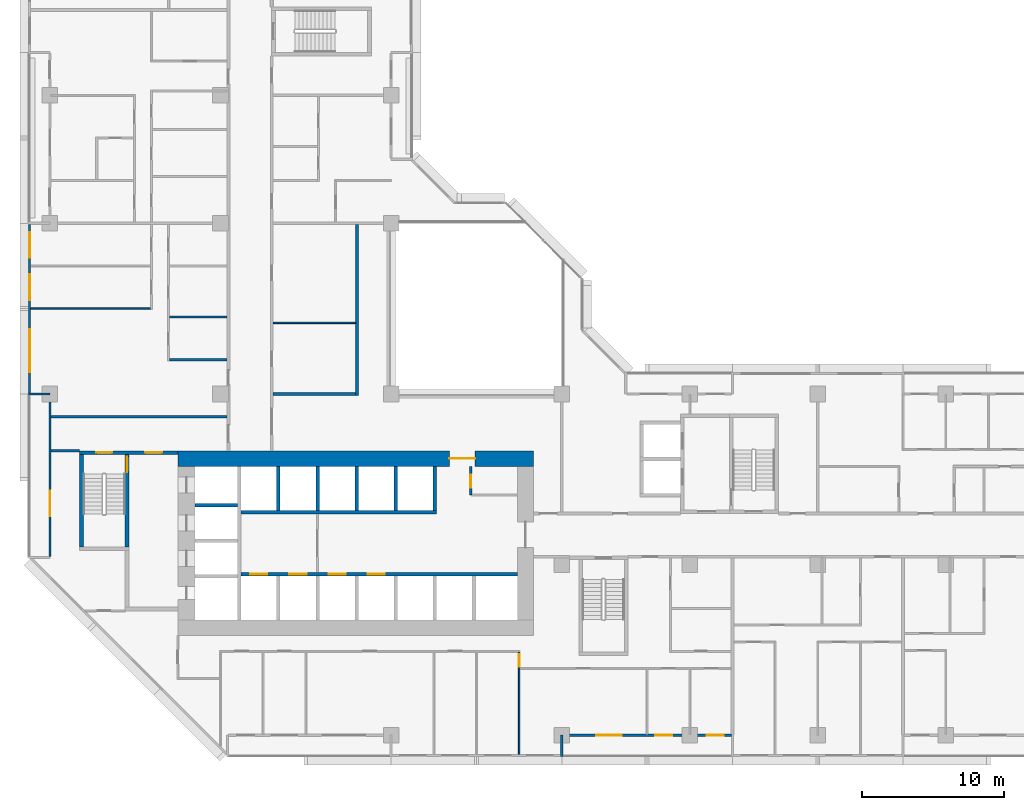
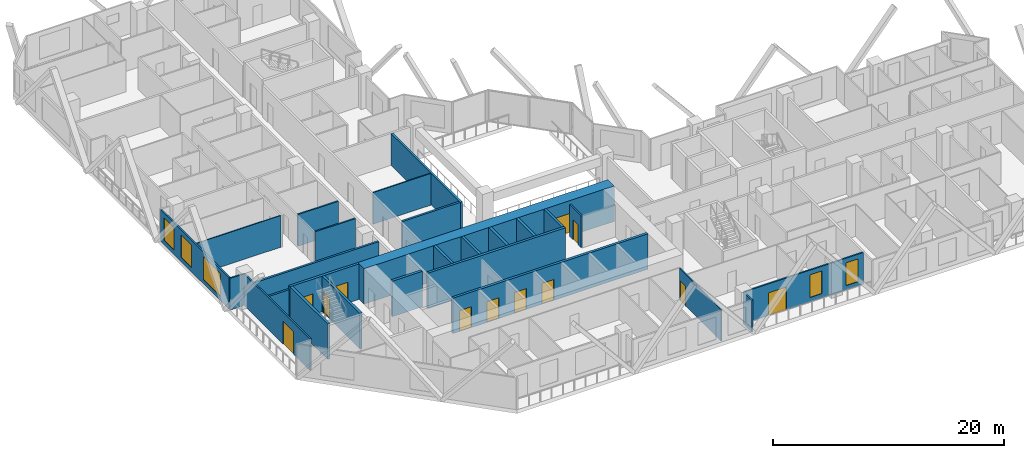
# One storey, part 5 of 15: 27 walls, 12 doors, 5 windows, 17 openings.
"""IFC4 building model written with IfcOpenShell, lengths in metres."""

import ifcopenshell
import ifcopenshell.guid

model = None  # the IFC model being written
_history = None  # IfcOwnerHistory: only IFC2X3 demands one
_inside = {}  # id of a spatial element -> (the spatial element, [elements in it])
_under = {}  # id of a project, library or spatial element -> (it, [spatial elements below it])
_declared = {}  # id of a project -> (the project, [libraries it declares])
_typed = {}  # id of a type object -> (the type object, [elements of that type])
_made_of = {}  # id of a material, layer set ... -> (it, [elements and type objects made of it])


def new_model(schema):
    """Start an empty IFC model of exactly this schema.

    Asked for "IFC4X3", IfcOpenShell would pick the latest addendum, in which some entities
    have other attributes; the version numbers below select the first issue.
    IFC2X3 requires an IfcOwnerHistory on every rooted entity: one is made here for all.
    """
    global model, _history
    if schema == "IFC4X3":
        model = ifcopenshell.file(schema_version=(4, 3, 0, 0))
    else:
        model = ifcopenshell.file(schema=schema)
    _inside.clear()
    _under.clear()
    _declared.clear()
    _typed.clear()
    _made_of.clear()
    _history = None
    if model.schema == "IFC2X3":
        org = make("IfcOrganization", Name="unknown")
        user = make(
            "IfcPersonAndOrganization",
            ThePerson=make("IfcPerson", FamilyName="unknown"),
            TheOrganization=org,
        )
        app = make(
            "IfcApplication",
            ApplicationDeveloper=org,
            Version="unknown",
            ApplicationFullName="unknown",
            ApplicationIdentifier="unknown",
        )
        _history = make(
            "IfcOwnerHistory",
            OwningUser=user,
            OwningApplication=app,
            ChangeAction="ADDED",
            CreationDate=0,
        )
    return model


def make(cls, **values):
    """One entity of the class cls with the attributes given. An attribute that is None is left unset."""
    return model.create_entity(
        cls, **{name: value for name, value in values.items() if value is not None}
    )


def rooted(cls, **values):
    """An entity with a GlobalId (a new one), such as an element, a storey or a relation."""
    return make(cls, GlobalId=ifcopenshell.guid.new(), OwnerHistory=_history, **values)


def si_unit(unit_type, name, prefix=None):
    """IfcSIUnit, for example si_unit("LENGTHUNIT", "METRE", prefix="MILLI")."""
    return make("IfcSIUnit", UnitType=unit_type, Prefix=prefix, Name=name)


def assignment(units):
    """IfcUnitAssignment: the units of a project."""
    return None if units is None else make("IfcUnitAssignment", Units=units)


def point(xyz):
    """IfcCartesianPoint."""
    return None if xyz is None else make("IfcCartesianPoint", Coordinates=xyz)


def direction(xyz):
    """IfcDirection."""
    return None if xyz is None else make("IfcDirection", DirectionRatios=xyz)


def frame(location, z_axis=None, x_axis=None):
    """IfcAxis2Placement3D, a coordinate frame: its origin and axes. An axis left out is left unset."""
    return make(
        "IfcAxis2Placement3D",
        Location=point(location),
        Axis=direction(z_axis),
        RefDirection=direction(x_axis),
    )


def frame_2d(location, x_axis=None):
    """IfcAxis2Placement2D, a coordinate frame in the plane: its origin and x axis."""
    return make(
        "IfcAxis2Placement2D", Location=point(location), RefDirection=direction(x_axis)
    )


def origin():
    """The frame at (0, 0, 0) with its axes left unset."""
    return frame((0.0, 0.0, 0.0))


def place(relative_to, where):
    """IfcLocalPlacement: puts the frame where relative to a parent placement (None: the world)."""
    return make(
        "IfcLocalPlacement", PlacementRelTo=relative_to, RelativePlacement=where
    )


def context(
    kind, dimensions, precision=None, world=None, true_north=None, identifier=None
):
    """IfcGeometricRepresentationContext, for example the 3D "Model" context."""
    return make(
        "IfcGeometricRepresentationContext",
        ContextIdentifier=identifier,
        ContextType=kind,
        CoordinateSpaceDimension=dimensions,
        Precision=precision,
        WorldCoordinateSystem=world,
        TrueNorth=true_north,
    )


def subcontext(parent, identifier, kind, view, scale=None):
    """IfcGeometricRepresentationSubContext, for example "Body" below "Model"."""
    return make(
        "IfcGeometricRepresentationSubContext",
        ContextIdentifier=identifier,
        ContextType=kind,
        ParentContext=parent,
        TargetScale=scale,
        TargetView=view,
    )


def project(units=None, contexts=None):
    """IfcProject with its units and contexts."""
    return rooted(
        "IfcProject",
        Name="project",
        RepresentationContexts=contexts,
        UnitsInContext=assignment(units),
    )


def spatial(cls, under=None, at=None, **own):
    """A site, building, storey or space (cls), placed at a placement, below another one or the project."""
    s = rooted(cls, ObjectPlacement=at, **own)
    if under is not None:
        _under.setdefault(under.id(), (under, []))[1].append(s)
    return s


def profile(cls, at=None, kind="AREA", **sizes):
    """A parametric profile (cls). Its sizes go by their IFC names, for example OverallWidth=200.0."""
    return make(cls, ProfileType=kind, Position=at, **sizes)


def rectangle(**sizes):
    """IfcRectangleProfileDef."""
    return profile("IfcRectangleProfileDef", **sizes)


def extrude(swept, where, along, depth):
    """IfcExtrudedAreaSolid: the profile swept, set in the frame where, extruded along a direction by depth."""
    return make(
        "IfcExtrudedAreaSolid",
        SweptArea=swept,
        Position=where,
        ExtrudedDirection=direction(along),
        Depth=depth,
    )


def shape(context_of_items, identifier, shape_type, items):
    """IfcShapeRepresentation: the items that make up one representation, for example the "Body"."""
    return make(
        "IfcShapeRepresentation",
        ContextOfItems=context_of_items,
        RepresentationIdentifier=identifier,
        RepresentationType=shape_type,
        Items=items,
    )


def material(Name=None, Category=None):
    """IfcMaterial."""
    return make("IfcMaterial", Name=Name, Category=Category)


def layer(
    of_material, thickness, ventilated=None, Name=None, Category=None, Priority=None
):
    """IfcMaterialLayer: one layer of a wall or slab, of a material (None: an air gap)."""
    return make(
        "IfcMaterialLayer",
        Material=of_material,
        LayerThickness=thickness,
        IsVentilated=ventilated,
        Name=Name,
        Category=Category,
        Priority=Priority,
    )


def layer_set(layers, Name=None):
    """IfcMaterialLayerSet."""
    return make("IfcMaterialLayerSet", MaterialLayers=layers, LayerSetName=Name)


def made_of(thing, what):
    """Note that an element or type object is made of a material, layer set ...; save() writes the relation."""
    if what is not None:
        _made_of.setdefault(what.id(), (what, []))[1].append(thing)
    return thing


def type_object(cls, material=None, **own):
    """A type object (cls), such as IfcWallType, which elements share."""
    return made_of(rooted(cls, **own), material)


def element(
    cls,
    number,
    at=None,
    inside=None,
    cuts=None,
    type_object=None,
    material=None,
    context=None,
    identifier="Body",
    shape_type=None,
    held_by="IfcProductDefinitionShape",
    body=None,
    shapes=None,
    **own,
):
    """One element of the class cls, such as IfcWall. Its Tag is "e" and its number.

    at: its placement. inside: the storey or other place that contains it. cuts: it is an
    opening in that element (IfcRelVoidsElement). A single representation is given by context,
    identifier, shape_type and body (its items); several are given by shapes. held_by: the class
    of the entity that holds the representations. save() writes the other relations.
    """
    e = rooted(cls, Tag="e%d" % number, ObjectPlacement=at, **own)
    if body is not None:
        shapes = [shape(context, identifier, shape_type, body)]
    if shapes is not None:
        e.Representation = make(held_by, Representations=shapes)
    if inside is not None:
        _inside.setdefault(inside.id(), (inside, []))[1].append(e)
    if cuts is not None:
        rooted(
            "IfcRelVoidsElement", RelatingBuildingElement=cuts, RelatedOpeningElement=e
        )
    if type_object is not None:
        _typed.setdefault(type_object.id(), (type_object, []))[1].append(e)
    return made_of(e, material)


def fill(opening, filler):
    """IfcRelFillsElement: the door or window that sits in an opening."""
    return rooted(
        "IfcRelFillsElement",
        RelatingOpeningElement=opening,
        RelatedBuildingElement=filler,
    )


def aggregate(whole, parts):
    """IfcRelAggregates: a whole, such as a stair, and the parts it consists of."""
    return rooted("IfcRelAggregates", RelatingObject=whole, RelatedObjects=parts)


def save(model, path):
    """Write the relations noted so far, then the file.

    IfcRelAggregates (storeys below a building ...), IfcRelContainedInSpatialStructure (elements
    in a storey), IfcRelDefinesByType, IfcRelAssociatesMaterial and IfcRelDeclares: one each for
    every whole, place, type object, material and project.
    """
    for whole, parts in _under.values():
        aggregate(whole, parts)
    for where, things in _inside.values():
        rooted(
            "IfcRelContainedInSpatialStructure",
            RelatedElements=things,
            RelatingStructure=where,
        )
    for kind, things in _typed.values():
        rooted("IfcRelDefinesByType", RelatedObjects=things, RelatingType=kind)
    for what, things in _made_of.values():
        rooted("IfcRelAssociatesMaterial", RelatedObjects=things, RelatingMaterial=what)
    for by, libraries in _declared.values():
        rooted("IfcRelDeclares", RelatingContext=by, RelatedDefinitions=libraries)
    model.write(path)


model = new_model("IFC4")

# Units and contexts
model_context = context("Model", 3, precision=1e-05, world=origin(), true_north=direction((0.0, 1.0)))
body_context = subcontext(model_context, "Body", "Model", "MODEL_VIEW")
ifc_project = project(units=[si_unit("LENGTHUNIT", "METRE"), si_unit("AREAUNIT", "SQUARE_METRE"), si_unit("VOLUMEUNIT", "CUBIC_METRE"), si_unit("PLANEANGLEUNIT", "RADIAN"), si_unit("MASSUNIT", "GRAM", prefix="KILO")], contexts=[model_context])

# Site, building, storey
site_placement = place(None, origin())
site = spatial("IfcSite", under=ifc_project, at=site_placement, CompositionType="ELEMENT")
building_placement = place(site_placement, origin())
building = spatial("IfcBuilding", under=site, at=building_placement, Name="Chenar Terraces", CompositionType="ELEMENT")
storey_placement = place(building_placement, frame((0.0, 0.0, 41.39990234375)))
storey = spatial("IfcBuildingStorey", under=building, at=storey_placement, Name="L07", CompositionType="ELEMENT", Elevation=41.39990234375)

# Wall, opening, door
ifc_material_1 = material(Name="Gypsum board on steel studs", Category="steel")
ifc_layer_1 = layer(ifc_material_1, 0.14990234375)
ifc_layer_set_1 = layer_set([ifc_layer_1], Name="Gypsum board on steel studs")
wall_type_1 = type_object("IfcWallType", Name="Core partition 150 gypsum board", PredefinedType="PARTITIONING", material=ifc_layer_set_1)
wall_1_placement = place(storey_placement, frame((29.60009765625, 16.89990234375, 0.0), z_axis=(0.0, 0.0, 1.0), x_axis=(0.0, 1.0, 0.0)))
wall_1 = element("IfcWall", 1, at=wall_1_placement, inside=storey, type_object=wall_type_1, Name="Core partition CP1 vestibule room west wall", PredefinedType="PARTITIONING", context=body_context, shape_type="SweptSolid", body=[
    extrude(rectangle(XDim=2.0, YDim=0.14990234375, at=frame_2d((1.0, 0.0))), origin(), (0.0, 0.0, 1.0), 3.35009765625),
])
opening_1_placement = place(wall_1_placement, frame((0.5, 0.0, 0.0)))
opening_1 = element("IfcOpeningElement", 2, at=opening_1_placement, cuts=wall_1, Name="Opening DL07-C13", PredefinedType="OPENING", context=body_context, shape_type="SweptSolid", body=[
    extrude(rectangle(XDim=0.89990234375, YDim=2.10009765625, at=frame_2d((0.449951171875, 1.050048828125))), frame((0.0, 0.0849609375, 0.0), z_axis=(0.0, -1.0, 0.0), x_axis=(1.0, 0.0, 0.0)), (0.0, 0.0, 1.0), 0.169921875),
])
ifc_material_2 = material(Name="Steel-framed fire-resisting door leaf", Category="steel")
door_type_1 = type_object("IfcDoorType", Name="Riser fire door FD60 900 x 2100", OperationType="SINGLE_SWING_LEFT", PredefinedType="DOOR", material=ifc_material_2)
door_1_placement = place(opening_1_placement, frame((0.89990234375, 0.0, 0.0), z_axis=(0.0, 0.0, 1.0), x_axis=(-1.0, 0.0, 0.0)))
door_1 = element("IfcDoor", 3, at=door_1_placement, inside=storey, type_object=door_type_1, Name="Core room door DL07-C13", OperationType="SINGLE_SWING_RIGHT", OverallHeight=2.10009765625, OverallWidth=0.89990234375, PredefinedType="DOOR", context=body_context, shape_type="SweptSolid", body=[
    extrude(rectangle(XDim=0.89990234375, YDim=2.10009765625, at=frame_2d((0.449951171875, 1.050048828125))), frame((0.0, 0.02490234375, 0.0), z_axis=(0.0, -1.0, 0.0), x_axis=(1.0, 0.0, 0.0)), (0.0, 0.0, 1.0), 0.050048828125),
])
fill(opening_1, door_1)

ifc_material_3 = material(Name="Concrete C70/85", Category="concrete")
ifc_layer_2 = layer(ifc_material_3, 1.10009765625)
ifc_layer_set_2 = layer_set([ifc_layer_2], Name="Concrete C70/85")
wall_type_2 = type_object("IfcWallType", Name="Core wall 1100 Concrete C70/85", PredefinedType="SHEAR", material=ifc_layer_set_2)
wall_2_placement = place(storey_placement, frame((9.0, 19.449951171875, 0.0), z_axis=(0.0, 0.0, 1.0), x_axis=(1.0, 0.0, 0.0)))
wall_2 = element("IfcWall", 4, at=wall_2_placement, inside=storey, type_object=wall_type_2, Name="Core wall N L07", PredefinedType="SHEAR", context=body_context, shape_type="SweptSolid", body=[
    extrude(rectangle(XDim=25.0, YDim=1.10009765625, at=frame_2d((12.5, 0.0))), origin(), (0.0, 0.0, 1.0), 3.75),
])
opening_2_placement = place(wall_2_placement, frame((19.10009765625, 0.0, 0.0)))
opening_2 = element("IfcOpeningElement", 5, at=opening_2_placement, cuts=wall_2, Name="Opening DL07-C2", PredefinedType="OPENING", context=body_context, shape_type="SweptSolid", body=[
    extrude(rectangle(XDim=1.800048828125, YDim=2.39990234375, at=frame_2d((0.89990234375, 1.199951171875))), frame((0.0, 0.56005859375, 0.0), z_axis=(0.0, -1.0, 0.0), x_axis=(1.0, 0.0, 0.0)), (0.0, 0.0, 1.0), 1.1201171875),
])
ifc_material_4 = material(Name="Steel-framed fire-resisting door leaf", Category="steel")
door_type_2 = type_object("IfcDoorType", Name="Core entrance double fire door FD60 1800 x 2400", OperationType="DOUBLE_DOOR_SINGLE_SWING", PredefinedType="DOOR", material=ifc_material_4)
door_2_placement = place(opening_2_placement, origin())
door_2 = element("IfcDoor", 6, at=door_2_placement, inside=storey, type_object=door_type_2, Name="Core door DL07-C2", OperationType="DOUBLE_DOOR_SINGLE_SWING", OverallHeight=2.39990234375, OverallWidth=1.800048828125, PredefinedType="DOOR", context=body_context, shape_type="SweptSolid", body=[
    extrude(rectangle(XDim=1.800048828125, YDim=2.39990234375, at=frame_2d((0.89990234375, 1.199951171875))), frame((0.0, 0.02490234375, 0.0), z_axis=(0.0, -1.0, 0.0), x_axis=(1.0, 0.0, 0.0)), (0.0, 0.0, 1.0), 0.050048828125),
])
fill(opening_2, door_2)

# Wall, openings, doors
ifc_material_5 = material(Name="Concrete C70/85", Category="concrete")
ifc_layer_3 = layer(ifc_material_5, 0.25)
ifc_layer_set_3 = layer_set([ifc_layer_3], Name="Concrete C70/85")
wall_type_3 = type_object("IfcWallType", Name="Core wall 250 Concrete C70/85", PredefinedType="SHEAR", material=ifc_layer_set_3)
wall_3_placement = place(storey_placement, frame((13.449951171875, 11.324951171875, 0.0), z_axis=(0.0, 0.0, 1.0), x_axis=(1.0, 0.0, 0.0)))
wall_3 = element("IfcWall", 7, at=wall_3_placement, inside=storey, type_object=wall_type_3, Name="Core wall SF L07", PredefinedType="SHEAR", context=body_context, shape_type="SweptSolid", body=[
    extrude(rectangle(XDim=19.449951171875, YDim=0.25, at=frame_2d((9.72509765625, 0.0))), origin(), (0.0, 0.0, 1.0), 3.75),
])
opening_3_placement = place(wall_3_placement, frame((0.64990234375, 0.0, 0.0)))
opening_3 = element("IfcOpeningElement", 8, at=opening_3_placement, cuts=wall_3, Name="Opening DL07-LD1", PredefinedType="OPENING", context=body_context, shape_type="SweptSolid", body=[
    extrude(rectangle(XDim=1.199951171875, YDim=2.199951171875, at=frame_2d((0.60009765625, 1.10009765625))), frame((0.0, 0.135009765625, 0.0), z_axis=(0.0, -1.0, 0.0), x_axis=(1.0, 0.0, 0.0)), (0.0, 0.0, 1.0), 0.27001953125),
])
opening_4_placement = place(wall_3_placement, frame((3.39990234375, 0.0, 0.0)))
opening_4 = element("IfcOpeningElement", 9, at=opening_4_placement, cuts=wall_3, Name="Opening DL07-LD2", PredefinedType="OPENING", context=body_context, shape_type="SweptSolid", body=[
    extrude(rectangle(XDim=1.199951171875, YDim=2.199951171875, at=frame_2d((0.60009765625, 1.10009765625))), frame((0.0, 0.135009765625, 0.0), z_axis=(0.0, -1.0, 0.0), x_axis=(1.0, 0.0, 0.0)), (0.0, 0.0, 1.0), 0.27001953125),
])
opening_5_placement = place(wall_3_placement, frame((6.14990234375, 0.0, 0.0)))
opening_5 = element("IfcOpeningElement", 10, at=opening_5_placement, cuts=wall_3, Name="Opening DL07-LD3", PredefinedType="OPENING", context=body_context, shape_type="SweptSolid", body=[
    extrude(rectangle(XDim=1.199951171875, YDim=2.199951171875, at=frame_2d((0.60009765625, 1.10009765625))), frame((0.0, 0.135009765625, 0.0), z_axis=(0.0, -1.0, 0.0), x_axis=(1.0, 0.0, 0.0)), (0.0, 0.0, 1.0), 0.27001953125),
])
opening_6_placement = place(wall_3_placement, frame((8.89990234375, 0.0, 0.0)))
opening_6 = element("IfcOpeningElement", 11, at=opening_6_placement, cuts=wall_3, Name="Opening DL07-LD4", PredefinedType="OPENING", context=body_context, shape_type="SweptSolid", body=[
    extrude(rectangle(XDim=1.199951171875, YDim=2.199951171875, at=frame_2d((0.60009765625, 1.10009765625))), frame((0.0, 0.135009765625, 0.0), z_axis=(0.0, -1.0, 0.0), x_axis=(1.0, 0.0, 0.0)), (0.0, 0.0, 1.0), 0.27001953125),
])
ifc_material_6 = material(Name="Stainless steel", Category="steel")
door_type_3 = type_object("IfcDoorType", Name="Lift landing door 1200 x 2200 sliding", OperationType="DOUBLE_DOOR_SLIDING", PredefinedType="DOOR", material=ifc_material_6)
door_3_placement = place(opening_3_placement, origin())
door_3 = element("IfcDoor", 12, at=door_3_placement, inside=storey, type_object=door_type_3, Name="Landing door L1", OperationType="DOUBLE_DOOR_SLIDING", OverallHeight=2.199951171875, OverallWidth=1.199951171875, PredefinedType="DOOR", context=body_context, shape_type="SweptSolid", body=[
    extrude(rectangle(XDim=1.199951171875, YDim=2.199951171875, at=frame_2d((0.60009765625, 1.10009765625))), frame((0.0, 0.02490234375, 0.0), z_axis=(0.0, -1.0, 0.0), x_axis=(1.0, 0.0, 0.0)), (0.0, 0.0, 1.0), 0.050048828125),
])
fill(opening_3, door_3)
door_4_placement = place(opening_4_placement, origin())
door_4 = element("IfcDoor", 13, at=door_4_placement, inside=storey, type_object=door_type_3, Name="Landing door L2", OperationType="DOUBLE_DOOR_SLIDING", OverallHeight=2.199951171875, OverallWidth=1.199951171875, PredefinedType="DOOR", context=body_context, shape_type="SweptSolid", body=[
    extrude(rectangle(XDim=1.199951171875, YDim=2.199951171875, at=frame_2d((0.60009765625, 1.10009765625))), frame((0.0, 0.02490234375, 0.0), z_axis=(0.0, -1.0, 0.0), x_axis=(1.0, 0.0, 0.0)), (0.0, 0.0, 1.0), 0.050048828125),
])
fill(opening_4, door_4)
door_5_placement = place(opening_5_placement, origin())
door_5 = element("IfcDoor", 14, at=door_5_placement, inside=storey, type_object=door_type_3, Name="Landing door L3", OperationType="DOUBLE_DOOR_SLIDING", OverallHeight=2.199951171875, OverallWidth=1.199951171875, PredefinedType="DOOR", context=body_context, shape_type="SweptSolid", body=[
    extrude(rectangle(XDim=1.199951171875, YDim=2.199951171875, at=frame_2d((0.60009765625, 1.10009765625))), frame((0.0, 0.02490234375, 0.0), z_axis=(0.0, -1.0, 0.0), x_axis=(1.0, 0.0, 0.0)), (0.0, 0.0, 1.0), 0.050048828125),
])
fill(opening_5, door_5)
door_6_placement = place(opening_6_placement, origin())
door_6 = element("IfcDoor", 15, at=door_6_placement, inside=storey, type_object=door_type_3, Name="Landing door L4", OperationType="DOUBLE_DOOR_SLIDING", OverallHeight=2.199951171875, OverallWidth=1.199951171875, PredefinedType="DOOR", context=body_context, shape_type="SweptSolid", body=[
    extrude(rectangle(XDim=1.199951171875, YDim=2.199951171875, at=frame_2d((0.60009765625, 1.10009765625))), frame((0.0, 0.02490234375, 0.0), z_axis=(0.0, -1.0, 0.0), x_axis=(1.0, 0.0, 0.0)), (0.0, 0.0, 1.0), 0.050048828125),
])
fill(opening_6, door_6)

# Walls
wall_4_placement = place(storey_placement, frame((13.449951171875, 15.675048828125, 0.0), z_axis=(0.0, 0.0, 1.0), x_axis=(1.0, 0.0, 0.0)))
element("IfcWall", 16, at=wall_4_placement, inside=storey, type_object=wall_type_3, Name="Core wall NF L07", PredefinedType="SHEAR", context=body_context, shape_type="SweptSolid", body=[
    extrude(rectangle(XDim=13.75, YDim=0.25, at=frame_2d((6.875, 0.0))), origin(), (0.0, 0.0, 1.0), 3.75),
])
wall_5_placement = place(storey_placement, frame((10.199951171875, 16.175048828125, 0.0), z_axis=(0.0, 0.0, 1.0), x_axis=(1.0, 0.0, 0.0)))
element("IfcWall", 17, at=wall_5_placement, inside=storey, type_object=wall_type_3, Name="Core wall HW2 L07", PredefinedType="SHEAR", context=body_context, shape_type="SweptSolid", body=[
    extrude(rectangle(XDim=3.0, YDim=0.25, at=frame_2d((1.5, 0.0))), origin(), (0.0, 0.0, 1.0), 3.75),
])
for number, where, z_axis, x_axis, name in (
    (18, (16.074951171875, 15.800048828125, 0.0), (0.0, 0.0, 1.0), (0.0, 1.0, 0.0), "Core wall NS0 L07"),
    (19, (18.824951171875, 15.800048828125, 0.0), (0.0, 0.0, 1.0), (0.0, 1.0, 0.0), "Core wall NS1 L07"),
    (20, (21.574951171875, 15.800048828125, 0.0), (0.0, 0.0, 1.0), (0.0, 1.0, 0.0), "Core wall NS2 L07"),
    (21, (24.324951171875, 15.800048828125, 0.0), (0.0, 0.0, 1.0), (0.0, 1.0, 0.0), "Core wall NS3 L07"),
    (22, (27.074951171875, 15.800048828125, 0.0), (0.0, 0.0, 1.0), (0.0, 1.0, 0.0), "Core wall NE L07"),
):
    element("IfcWall", number, at=place(storey_placement, frame(where, z_axis=z_axis, x_axis=x_axis)), inside=storey, type_object=wall_type_3, Name=name, PredefinedType="SHEAR", context=body_context, shape_type="SweptSolid", body=[
        extrude(rectangle(XDim=3.099853515625, YDim=0.25, at=frame_2d((1.5498046875, 0.0))), origin(), (0.0, 0.0, 1.0), 3.75),
    ])

# Wall, openings, doors
wall_6_placement = place(storey_placement, frame((2.10009765625, 19.875, 0.0), z_axis=(0.0, 0.0, 1.0), x_axis=(1.0, 0.0, 0.0)))
wall_6 = element("IfcWall", 23, at=wall_6_placement, inside=storey, type_object=wall_type_3, Name="Core wall A_N L07", PredefinedType="SHEAR", context=body_context, shape_type="SweptSolid", body=[
    extrude(rectangle(XDim=6.89990234375, YDim=0.25, at=frame_2d((3.449951171875, 0.0))), origin(), (0.0, 0.0, 1.0), 3.75),
])
opening_7_placement = place(wall_6_placement, frame((1.175048828125, 0.0, 0.0)))
opening_7 = element("IfcOpeningElement", 24, at=opening_7_placement, cuts=wall_6, Name="Opening DL07-C5", PredefinedType="OPENING", context=body_context, shape_type="SweptSolid", body=[
    extrude(rectangle(XDim=1.10009765625, YDim=2.199951171875, at=frame_2d((0.550048828125, 1.10009765625))), frame((0.0, 0.135009765625, 0.0), z_axis=(0.0, -1.0, 0.0), x_axis=(1.0, 0.0, 0.0)), (0.0, 0.0, 1.0), 0.27001953125),
])
opening_8_placement = place(wall_6_placement, frame((4.60009765625, 0.0, 0.0)))
opening_8 = element("IfcOpeningElement", 25, at=opening_8_placement, cuts=wall_6, Name="Opening DL07-C6", PredefinedType="OPENING", context=body_context, shape_type="SweptSolid", body=[
    extrude(rectangle(XDim=1.199951171875, YDim=2.199951171875, at=frame_2d((0.60009765625, 1.10009765625))), frame((0.0, 0.135009765625, 0.0), z_axis=(0.0, -1.0, 0.0), x_axis=(1.0, 0.0, 0.0)), (0.0, 0.0, 1.0), 0.27001953125),
])
ifc_material_7 = material(Name="Steel-framed fire-resisting door leaf", Category="steel")
door_type_4 = type_object("IfcDoorType", Name="Lobby fire door FD60 1200 x 2200", OperationType="SINGLE_SWING_LEFT", PredefinedType="DOOR", material=ifc_material_7)
door_7_placement = place(opening_8_placement, frame((1.199951171875, 0.0, 0.0), z_axis=(0.0, 0.0, 1.0), x_axis=(-1.0, 0.0, 0.0)))
door_7 = element("IfcDoor", 26, at=door_7_placement, inside=storey, type_object=door_type_4, Name="Core door DL07-C6", OperationType="SINGLE_SWING_LEFT", OverallHeight=2.199951171875, OverallWidth=1.199951171875, PredefinedType="DOOR", context=body_context, shape_type="SweptSolid", body=[
    extrude(rectangle(XDim=1.199951171875, YDim=2.199951171875, at=frame_2d((0.60009765625, 1.10009765625))), frame((0.0, 0.02490234375, 0.0), z_axis=(0.0, -1.0, 0.0), x_axis=(1.0, 0.0, 0.0)), (0.0, 0.0, 1.0), 0.050048828125),
])
fill(opening_8, door_7)
ifc_material_8 = material(Name="Steel-framed fire-resisting door leaf", Category="steel")
door_type_5 = type_object("IfcDoorType", Name="Stair fire door FD60 1100 x 2200", OperationType="SINGLE_SWING_LEFT", PredefinedType="DOOR", material=ifc_material_8)
door_8_placement = place(opening_7_placement, origin())
door_8 = element("IfcDoor", 27, at=door_8_placement, inside=storey, type_object=door_type_5, Name="Stair door DL07-C5", OperationType="SINGLE_SWING_LEFT", OverallHeight=2.199951171875, OverallWidth=1.10009765625, PredefinedType="DOOR", context=body_context, shape_type="SweptSolid", body=[
    extrude(rectangle(XDim=1.10009765625, YDim=2.199951171875, at=frame_2d((0.550048828125, 1.10009765625))), frame((0.0, 0.02490234375, 0.0), z_axis=(0.0, -1.0, 0.0), x_axis=(1.0, 0.0, 0.0)), (0.0, 0.0, 1.0), 0.050048828125),
])
fill(opening_7, door_8)

# Wall
wall_7_placement = place(storey_placement, frame((2.22509765625, 13.25, 0.0), z_axis=(0.0, 0.0, 1.0), x_axis=(0.0, 1.0, 0.0)))
element("IfcWall", 28, at=wall_7_placement, inside=storey, type_object=wall_type_3, Name="Core wall ST1_W L07", PredefinedType="SHEAR", context=body_context, shape_type="SweptSolid", body=[
    extrude(rectangle(XDim=6.5, YDim=0.25, at=frame_2d((3.25, 0.0))), origin(), (0.0, 0.0, 1.0), 3.75),
])

# Wall, opening, door
wall_8_placement = place(storey_placement, frame((5.425048828125, 13.25, 0.0), z_axis=(0.0, 0.0, 1.0), x_axis=(0.0, 1.0, 0.0)))
wall_8 = element("IfcWall", 29, at=wall_8_placement, inside=storey, type_object=wall_type_3, Name="Core wall ST1_E L07", PredefinedType="SHEAR", context=body_context, shape_type="SweptSolid", body=[
    extrude(rectangle(XDim=6.5, YDim=0.25, at=frame_2d((3.25, 0.0))), origin(), (0.0, 0.0, 1.0), 3.75),
])
opening_9_placement = place(wall_8_placement, frame((5.25, 0.0, 0.0)))
opening_9 = element("IfcOpeningElement", 30, at=opening_9_placement, cuts=wall_8, Name="Opening DL07-C3", PredefinedType="OPENING", context=body_context, shape_type="SweptSolid", body=[
    extrude(rectangle(XDim=1.10009765625, YDim=2.199951171875, at=frame_2d((0.550048828125, 1.10009765625))), frame((0.0, 0.135009765625, 0.0), z_axis=(0.0, -1.0, 0.0), x_axis=(1.0, 0.0, 0.0)), (0.0, 0.0, 1.0), 0.27001953125),
])
door_9_placement = place(opening_9_placement, origin())
door_9 = element("IfcDoor", 31, at=door_9_placement, inside=storey, type_object=door_type_5, Name="Stair door DL07-C3", OperationType="SINGLE_SWING_RIGHT", OverallHeight=2.199951171875, OverallWidth=1.10009765625, PredefinedType="DOOR", context=body_context, shape_type="SweptSolid", body=[
    extrude(rectangle(XDim=1.10009765625, YDim=2.199951171875, at=frame_2d((0.550048828125, 1.10009765625))), frame((0.0, 0.02490234375, 0.0), z_axis=(0.0, -1.0, 0.0), x_axis=(1.0, 0.0, 0.0)), (0.0, 0.0, 1.0), 0.050048828125),
])
fill(opening_9, door_9)

# Walls
ifc_material_9 = material(Name="Gypsum board on steel studs with fire boards", Category="steel")
ifc_layer_4 = layer(ifc_material_9, 0.199951171875)
ifc_layer_set_4 = layer_set([ifc_layer_4], Name="Gypsum board on steel studs with fire boards")
wall_type_4 = type_object("IfcWallType", Name="Corridor wall 200", PredefinedType="PARTITIONING", material=ifc_layer_set_4)
wall_9_placement = place(storey_placement, frame((0.073974609375, 20.0, 0.0), z_axis=(0.0, 0.0, 1.0), x_axis=(1.0, 0.0, 0.0)))
element("IfcWall", 32, at=wall_9_placement, inside=storey, type_object=wall_type_4, Name="Partition L07-007", PredefinedType="PARTITIONING", context=body_context, shape_type="SweptSolid", body=[
    extrude(rectangle(XDim=2.026123046875, YDim=0.199951171875, at=frame_2d((1.01318359375, 0.0))), origin(), (0.0, 0.0, 1.0), 3.35009765625),
])
wall_10_placement = place(storey_placement, frame((0.073974609375, 22.39990234375, 0.0), z_axis=(0.0, 0.0, 1.0), x_axis=(1.0, 0.0, 0.0)))
element("IfcWall", 33, at=wall_10_placement, inside=storey, type_object=wall_type_4, Name="Partition L07-008", PredefinedType="PARTITIONING", context=body_context, shape_type="SweptSolid", body=[
    extrude(rectangle(XDim=12.3759765625, YDim=0.199951171875, at=frame_2d((6.18798828125, 0.0))), origin(), (0.0, 0.0, 1.0), 3.35009765625),
])
wall_11_placement = place(storey_placement, frame((15.699951171875, 24.0, 0.0), z_axis=(0.0, 0.0, 1.0), x_axis=(1.0, 0.0, 0.0)))
element("IfcWall", 34, at=wall_11_placement, inside=storey, type_object=wall_type_4, Name="Partition L07-040", PredefinedType="PARTITIONING", context=body_context, shape_type="SweptSolid", body=[
    extrude(rectangle(XDim=5.800048828125, YDim=0.199951171875, at=frame_2d((2.89990234375, 0.0))), origin(), (0.0, 0.0, 1.0), 3.35009765625),
])
wall_12_placement = place(storey_placement, frame((21.60009765625, 23.89990234375, 0.0), z_axis=(0.0, 0.0, 1.0), x_axis=(0.0, 1.0, 0.0)))
element("IfcWall", 35, at=wall_12_placement, inside=storey, type_object=wall_type_4, Name="Partition L07-056", PredefinedType="PARTITIONING", context=body_context, shape_type="SweptSolid", body=[
    extrude(rectangle(XDim=12.0, YDim=0.199951171875, at=frame_2d((6.0, 0.0))), origin(), (0.0, 0.0, 1.0), 3.35009765625),
])

# Wall, openings, windows
ifc_material_10 = material(Name="Aluminium framed glazing", Category="aluminium")
ifc_layer_5 = layer(ifc_material_10, 0.14990234375)
ifc_layer_set_5 = layer_set([ifc_layer_5], Name="Aluminium framed glazing")
wall_type_5 = type_object("IfcWallType", Name="Glazed flush facade wall 150", PredefinedType="SOLIDWALL", material=ifc_layer_set_5)
wall_13_placement = place(storey_placement, frame((-1.425048828125, 35.925048828125, 0.0), z_axis=(0.0, 0.0, 1.0), x_axis=(0.0, -1.0, 0.0)))
wall_13 = element("IfcWall", 36, at=wall_13_placement, inside=storey, type_object=wall_type_5, Name="Glazed flush facade wall", PredefinedType="SOLIDWALL", context=body_context, shape_type="SweptSolid", body=[
    extrude(rectangle(XDim=11.85009765625, YDim=0.14990234375, at=frame_2d((5.925048828125, 0.0))), origin(), (0.0, 0.0, 1.0), 3.35009765625),
])
opening_10_placement = place(wall_13_placement, frame((0.5625, 0.0, 0.449951171875)))
opening_10 = element("IfcOpeningElement", 37, at=opening_10_placement, cuts=wall_13, Name="Opening W180x240", PredefinedType="OPENING", context=body_context, shape_type="SweptSolid", body=[
    extrude(rectangle(XDim=1.800048828125, YDim=2.39990234375, at=frame_2d((0.89990234375, 1.199951171875))), frame((0.0, 0.0849609375, 0.0), z_axis=(0.0, -1.0, 0.0), x_axis=(1.0, 0.0, 0.0)), (0.0, 0.0, 1.0), 0.169921875),
])
opening_11_placement = place(wall_13_placement, frame((3.52490234375, 0.0, 0.449951171875)))
opening_11 = element("IfcOpeningElement", 38, at=opening_11_placement, cuts=wall_13, Name="Opening W180x240", PredefinedType="OPENING", context=body_context, shape_type="SweptSolid", body=[
    extrude(rectangle(XDim=1.800048828125, YDim=2.39990234375, at=frame_2d((0.89990234375, 1.199951171875))), frame((0.0, 0.0849609375, 0.0), z_axis=(0.0, -1.0, 0.0), x_axis=(1.0, 0.0, 0.0)), (0.0, 0.0, 1.0), 0.169921875),
])
opening_12_placement = place(wall_13_placement, frame((7.387451171875, 0.0, 0.449951171875)))
opening_12 = element("IfcOpeningElement", 39, at=opening_12_placement, cuts=wall_13, Name="Opening W300x240", PredefinedType="OPENING", context=body_context, shape_type="SweptSolid", body=[
    extrude(rectangle(XDim=3.0, YDim=2.39990234375, at=frame_2d((1.5, 1.199951171875))), frame((0.0, 0.0849609375, 0.0), z_axis=(0.0, -1.0, 0.0), x_axis=(1.0, 0.0, 0.0)), (0.0, 0.0, 1.0), 0.169921875),
])
ifc_material_11 = material(Name="Low emissivity double glazing, aluminium frame", Category="aluminium")
window_type_1 = type_object("IfcWindowType", Name="Fixed light 1800 x 2400", PartitioningType="SINGLE_PANEL", PredefinedType="WINDOW", material=ifc_material_11)
window_1_placement = place(opening_10_placement, origin())
window_1 = element("IfcWindow", 40, at=window_1_placement, inside=storey, type_object=window_type_1, Name="Window", OverallHeight=2.39990234375, OverallWidth=1.800048828125, PartitioningType="SINGLE_PANEL", PredefinedType="WINDOW", context=body_context, shape_type="SweptSolid", body=[
    extrude(rectangle(XDim=1.800048828125, YDim=2.39990234375, at=frame_2d((0.89990234375, 1.199951171875))), frame((0.0, 0.030029296875, 0.0), z_axis=(0.0, -1.0, 0.0), x_axis=(1.0, 0.0, 0.0)), (0.0, 0.0, 1.0), 0.06005859375),
])
fill(opening_10, window_1)
window_2_placement = place(opening_11_placement, origin())
window_2 = element("IfcWindow", 41, at=window_2_placement, inside=storey, type_object=window_type_1, Name="Window", OverallHeight=2.39990234375, OverallWidth=1.800048828125, PartitioningType="SINGLE_PANEL", PredefinedType="WINDOW", context=body_context, shape_type="SweptSolid", body=[
    extrude(rectangle(XDim=1.800048828125, YDim=2.39990234375, at=frame_2d((0.89990234375, 1.199951171875))), frame((0.0, 0.030029296875, 0.0), z_axis=(0.0, -1.0, 0.0), x_axis=(1.0, 0.0, 0.0)), (0.0, 0.0, 1.0), 0.06005859375),
])
fill(opening_11, window_2)
ifc_material_12 = material(Name="Low emissivity double glazing, aluminium frame", Category="aluminium")
window_type_2 = type_object("IfcWindowType", Name="Fixed light 3000 x 2400", PartitioningType="SINGLE_PANEL", PredefinedType="WINDOW", material=ifc_material_12)
window_3_placement = place(opening_12_placement, origin())
window_3 = element("IfcWindow", 42, at=window_3_placement, inside=storey, type_object=window_type_2, Name="Window", OverallHeight=2.39990234375, OverallWidth=3.0, PartitioningType="SINGLE_PANEL", PredefinedType="WINDOW", context=body_context, shape_type="SweptSolid", body=[
    extrude(rectangle(XDim=3.0, YDim=2.39990234375, at=frame_2d((1.5, 1.199951171875))), frame((0.0, 0.030029296875, 0.0), z_axis=(0.0, -1.0, 0.0), x_axis=(1.0, 0.0, 0.0)), (0.0, 0.0, 1.0), 0.06005859375),
])
fill(opening_12, window_3)

# Wall, opening, door
ifc_material_13 = material(Name="Aluminium framed glazing", Category="aluminium")
ifc_layer_6 = layer(ifc_material_13, 0.14990234375)
ifc_layer_set_6 = layer_set([ifc_layer_6], Name="Aluminium framed glazing")
wall_type_6 = type_object("IfcWallType", Name="Glazed loggia back wall 150", PredefinedType="SOLIDWALL", material=ifc_layer_set_6)
wall_14_placement = place(storey_placement, frame((0.0, 23.925048828125, 0.0), z_axis=(0.0, 0.0, 1.0), x_axis=(0.0, -1.0, 0.0)))
wall_14 = element("IfcWall", 43, at=wall_14_placement, inside=storey, type_object=wall_type_6, Name="Glazed loggia back wall", PredefinedType="SOLIDWALL", context=body_context, shape_type="SweptSolid", body=[
    extrude(rectangle(XDim=11.35009765625, YDim=0.14990234375, at=frame_2d((5.675048828125, 0.0))), origin(), (0.0, 0.0, 1.0), 3.35009765625),
])
opening_13_placement = place(wall_14_placement, frame((6.737548828125, 0.0, 0.0)))
opening_13 = element("IfcOpeningElement", 44, at=opening_13_placement, cuts=wall_14, Name="Opening DL07-G5", PredefinedType="OPENING", context=body_context, shape_type="SweptSolid", body=[
    extrude(rectangle(XDim=1.800048828125, YDim=2.39990234375, at=frame_2d((0.89990234375, 1.199951171875))), frame((0.0, 0.0849609375, 0.0), z_axis=(0.0, -1.0, 0.0), x_axis=(1.0, 0.0, 0.0)), (0.0, 0.0, 1.0), 0.169921875),
])
ifc_material_14 = material(Name="Low emissivity double glazing, aluminium frame", Category="aluminium")
door_type_6 = type_object("IfcDoorType", Name="Loggia glazed double door 1800 x 2400", OperationType="DOUBLE_DOOR_SINGLE_SWING", PredefinedType="DOOR", material=ifc_material_14)
door_10_placement = place(opening_13_placement, frame((1.800048828125, 0.0, 0.0), z_axis=(0.0, 0.0, 1.0), x_axis=(-1.0, 0.0, 0.0)))
door_10 = element("IfcDoor", 45, at=door_10_placement, inside=storey, type_object=door_type_6, Name="Loggia glazed door", OperationType="DOUBLE_DOOR_SINGLE_SWING", OverallHeight=2.39990234375, OverallWidth=1.800048828125, PredefinedType="DOOR", context=body_context, shape_type="SweptSolid", body=[
    extrude(rectangle(XDim=1.800048828125, YDim=2.39990234375, at=frame_2d((0.89990234375, 1.199951171875))), frame((0.0, 0.02490234375, 0.0), z_axis=(0.0, -1.0, 0.0), x_axis=(1.0, 0.0, 0.0)), (0.0, 0.0, 1.0), 0.050048828125),
])
fill(opening_13, door_10)

# Wall, openings, windows, door
wall_15_placement = place(storey_placement, frame((36.074951171875, 0.0, 0.0), z_axis=(0.0, 0.0, 1.0), x_axis=(1.0, 0.0, 0.0)))
wall_15 = element("IfcWall", 46, at=wall_15_placement, inside=storey, type_object=wall_type_6, Name="Glazed loggia back wall", PredefinedType="SOLIDWALL", context=body_context, shape_type="SweptSolid", body=[
    extrude(rectangle(XDim=11.85009765625, YDim=0.14990234375, at=frame_2d((5.925048828125, 0.0))), origin(), (0.0, 0.0, 1.0), 3.35009765625),
])
opening_14_placement = place(wall_15_placement, frame((2.35009765625, 0.0, 0.0)))
opening_14 = element("IfcOpeningElement", 47, at=opening_14_placement, cuts=wall_15, Name="Opening DL07-G7", PredefinedType="OPENING", context=body_context, shape_type="SweptSolid", body=[
    extrude(rectangle(XDim=1.800048828125, YDim=2.39990234375, at=frame_2d((0.89990234375, 1.199951171875))), frame((0.0, 0.0849609375, 0.0), z_axis=(0.0, -1.0, 0.0), x_axis=(1.0, 0.0, 0.0)), (0.0, 0.0, 1.0), 0.169921875),
])
opening_15_placement = place(wall_15_placement, frame((6.5, 0.0, 0.449951171875)))
opening_15 = element("IfcOpeningElement", 48, at=opening_15_placement, cuts=wall_15, Name="Opening W120x240", PredefinedType="OPENING", context=body_context, shape_type="SweptSolid", body=[
    extrude(rectangle(XDim=1.199951171875, YDim=2.39990234375, at=frame_2d((0.60009765625, 1.199951171875))), frame((0.0, 0.0849609375, 0.0), z_axis=(0.0, -1.0, 0.0), x_axis=(1.0, 0.0, 0.0)), (0.0, 0.0, 1.0), 0.169921875),
])
opening_16_placement = place(wall_15_placement, frame((10.112548828125, 0.0, 0.449951171875)))
opening_16 = element("IfcOpeningElement", 49, at=opening_16_placement, cuts=wall_15, Name="Opening W120x240", PredefinedType="OPENING", context=body_context, shape_type="SweptSolid", body=[
    extrude(rectangle(XDim=1.199951171875, YDim=2.39990234375, at=frame_2d((0.60009765625, 1.199951171875))), frame((0.0, 0.0849609375, 0.0), z_axis=(0.0, -1.0, 0.0), x_axis=(1.0, 0.0, 0.0)), (0.0, 0.0, 1.0), 0.169921875),
])
ifc_material_15 = material(Name="Low emissivity double glazing, aluminium frame", Category="aluminium")
window_type_3 = type_object("IfcWindowType", Name="Fixed light 1200 x 2400", PartitioningType="SINGLE_PANEL", PredefinedType="WINDOW", material=ifc_material_15)
window_4_placement = place(opening_15_placement, origin())
window_4 = element("IfcWindow", 50, at=window_4_placement, inside=storey, type_object=window_type_3, Name="Window", OverallHeight=2.39990234375, OverallWidth=1.199951171875, PartitioningType="SINGLE_PANEL", PredefinedType="WINDOW", context=body_context, shape_type="SweptSolid", body=[
    extrude(rectangle(XDim=1.199951171875, YDim=2.39990234375, at=frame_2d((0.60009765625, 1.199951171875))), frame((0.0, 0.030029296875, 0.0), z_axis=(0.0, -1.0, 0.0), x_axis=(1.0, 0.0, 0.0)), (0.0, 0.0, 1.0), 0.06005859375),
])
fill(opening_15, window_4)
window_5_placement = place(opening_16_placement, origin())
window_5 = element("IfcWindow", 51, at=window_5_placement, inside=storey, type_object=window_type_3, Name="Window", OverallHeight=2.39990234375, OverallWidth=1.199951171875, PartitioningType="SINGLE_PANEL", PredefinedType="WINDOW", context=body_context, shape_type="SweptSolid", body=[
    extrude(rectangle(XDim=1.199951171875, YDim=2.39990234375, at=frame_2d((0.60009765625, 1.199951171875))), frame((0.0, 0.030029296875, 0.0), z_axis=(0.0, -1.0, 0.0), x_axis=(1.0, 0.0, 0.0)), (0.0, 0.0, 1.0), 0.06005859375),
])
fill(opening_16, window_5)
door_11_placement = place(opening_14_placement, frame((1.800048828125, 0.0, 0.0), z_axis=(0.0, 0.0, 1.0), x_axis=(-1.0, 0.0, 0.0)))
door_11 = element("IfcDoor", 52, at=door_11_placement, inside=storey, type_object=door_type_6, Name="Loggia glazed door", OperationType="DOUBLE_DOOR_SINGLE_SWING", OverallHeight=2.39990234375, OverallWidth=1.800048828125, PredefinedType="DOOR", context=body_context, shape_type="SweptSolid", body=[
    extrude(rectangle(XDim=1.800048828125, YDim=2.39990234375, at=frame_2d((0.89990234375, 1.199951171875))), frame((0.0, 0.02490234375, 0.0), z_axis=(0.0, -1.0, 0.0), x_axis=(1.0, 0.0, 0.0)), (0.0, 0.0, 1.0), 0.050048828125),
])
fill(opening_14, door_11)

# Walls
ifc_material_16 = material(Name="Gypsum board on steel studs", Category="steel")
ifc_layer_7 = layer(ifc_material_16, 0.10009765625)
ifc_layer_set_7 = layer_set([ifc_layer_7], Name="Gypsum board on steel studs")
wall_type_7 = type_object("IfcWallType", Name="Gypsum partition 100", PredefinedType="PARTITIONING", material=ifc_layer_set_7)
wall_16_placement = place(storey_placement, frame((-1.35009765625, 30.0, 0.0), z_axis=(0.0, 0.0, 1.0), x_axis=(1.0, 0.0, 0.0)))
element("IfcWall", 53, at=wall_16_placement, inside=storey, type_object=wall_type_7, Name="Partition L07-003", PredefinedType="PARTITIONING", context=body_context, shape_type="SweptSolid", body=[
    extrude(rectangle(XDim=8.425048828125, YDim=0.10009765625, at=frame_2d((4.21240234375, 0.0))), origin(), (0.0, 0.0, 1.0), 3.35009765625),
])
wall_17_placement = place(storey_placement, frame((15.699951171875, 29.0, 0.0), z_axis=(0.0, 0.0, 1.0), x_axis=(1.0, 0.0, 0.0)))
element("IfcWall", 54, at=wall_17_placement, inside=storey, type_object=wall_type_7, Name="Partition L07-041", PredefinedType="PARTITIONING", context=body_context, shape_type="SweptSolid", body=[
    extrude(rectangle(XDim=5.800048828125, YDim=0.10009765625, at=frame_2d((2.89990234375, 0.0))), origin(), (0.0, 0.0, 1.0), 3.35009765625),
])

# Wall, opening, door
wall_18_placement = place(storey_placement, frame((33.0, -1.35009765625, 0.0), z_axis=(0.0, 0.0, 1.0), x_axis=(0.0, 1.0, 0.0)))
wall_18 = element("IfcWall", 55, at=wall_18_placement, inside=storey, type_object=wall_type_7, Name="Partition L07-059", PredefinedType="PARTITIONING", context=body_context, shape_type="SweptSolid", body=[
    extrude(rectangle(XDim=7.2001953125, YDim=0.10009765625, at=frame_2d((3.60009765625, 0.0))), origin(), (0.0, 0.0, 1.0), 3.35009765625),
])
opening_17_placement = place(wall_18_placement, frame((6.14990234375, 0.0, 0.0)))
opening_17 = element("IfcOpeningElement", 56, at=opening_17_placement, cuts=wall_18, Name="Opening DL07-56", PredefinedType="OPENING", context=body_context, shape_type="SweptSolid", body=[
    extrude(rectangle(XDim=0.89990234375, YDim=2.10009765625, at=frame_2d((0.449951171875, 1.050048828125))), frame((0.0, 0.06005859375, 0.0), z_axis=(0.0, -1.0, 0.0), x_axis=(1.0, 0.0, 0.0)), (0.0, 0.0, 1.0), 0.1201171875),
])
ifc_material_17 = material(Name="Veneered timber door leaf", Category="wood")
door_type_7 = type_object("IfcDoorType", Name="Door 900 x 2100", OperationType="SINGLE_SWING_LEFT", PredefinedType="DOOR", material=ifc_material_17)
door_12_placement = place(opening_17_placement, origin())
door_12 = element("IfcDoor", 57, at=door_12_placement, inside=storey, type_object=door_type_7, Name="Door DL07-56", OperationType="SINGLE_SWING_RIGHT", OverallHeight=2.10009765625, OverallWidth=0.89990234375, PredefinedType="DOOR", context=body_context, shape_type="SweptSolid", body=[
    extrude(rectangle(XDim=0.89990234375, YDim=2.10009765625, at=frame_2d((0.449951171875, 1.050048828125))), frame((0.0, 0.02490234375, 0.0), z_axis=(0.0, -1.0, 0.0), x_axis=(1.0, 0.0, 0.0)), (0.0, 0.0, 1.0), 0.050048828125),
])
fill(opening_17, door_12)

# Walls
ifc_material_18 = material(Name="Terracotta cladding on insulated backing", Category="masonry")
ifc_layer_8 = layer(ifc_material_18, 0.14990234375)
ifc_layer_set_8 = layer_set([ifc_layer_8], Name="Terracotta cladding on insulated backing")
wall_type_8 = type_object("IfcWallType", Name="Loggia return wall 150", PredefinedType="SOLIDWALL", material=ifc_layer_set_8)
for number, where, z_axis, x_axis, name in (
    (58, (-1.5, 24.0, 0.0), (0.0, 0.0, 1.0), (1.0, 0.0, 0.0), "Loggia return wall"),
    (59, (36.0, -1.5, 0.0), (0.0, 0.0, 1.0), (0.0, 1.0, 0.0), "Loggia return wall"),
):
    element("IfcWall", number, at=place(storey_placement, frame(where, z_axis=z_axis, x_axis=x_axis)), inside=storey, type_object=wall_type_8, Name=name, PredefinedType="SOLIDWALL", context=body_context, shape_type="SweptSolid", body=[
        extrude(rectangle(XDim=1.5, YDim=0.14990234375, at=frame_2d((0.75, 0.0))), origin(), (0.0, 0.0, 1.0), 3.35009765625),
    ])
ifc_material_19 = material(Name="Moisture-resistant gypsum board on steel studs", Category="steel")
ifc_layer_9 = layer(ifc_material_19, 0.14990234375)
ifc_layer_set_9 = layer_set([ifc_layer_9], Name="Moisture-resistant gypsum board on steel studs")
wall_type_9 = type_object("IfcWallType", Name="Wet-room partition 150", PredefinedType="PARTITIONING", material=ifc_layer_set_9)
for number, where, z_axis, x_axis, name in (
    (60, (8.425048828125, 26.39990234375, 0.0), (0.0, 0.0, 1.0), (1.0, 0.0, 0.0), "Partition L07-027"),
    (61, (8.425048828125, 29.39990234375, 0.0), (0.0, 0.0, 1.0), (1.0, 0.0, 0.0), "Partition L07-028"),
):
    element("IfcWall", number, at=place(storey_placement, frame(where, z_axis=z_axis, x_axis=x_axis)), inside=storey, type_object=wall_type_9, Name=name, PredefinedType="PARTITIONING", context=body_context, shape_type="SweptSolid", body=[
        extrude(rectangle(XDim=4.02490234375, YDim=0.14990234375, at=frame_2d((2.012451171875, 0.0))), origin(), (0.0, 0.0, 1.0), 3.35009765625),
    ])

save(model, "model.ifc")
